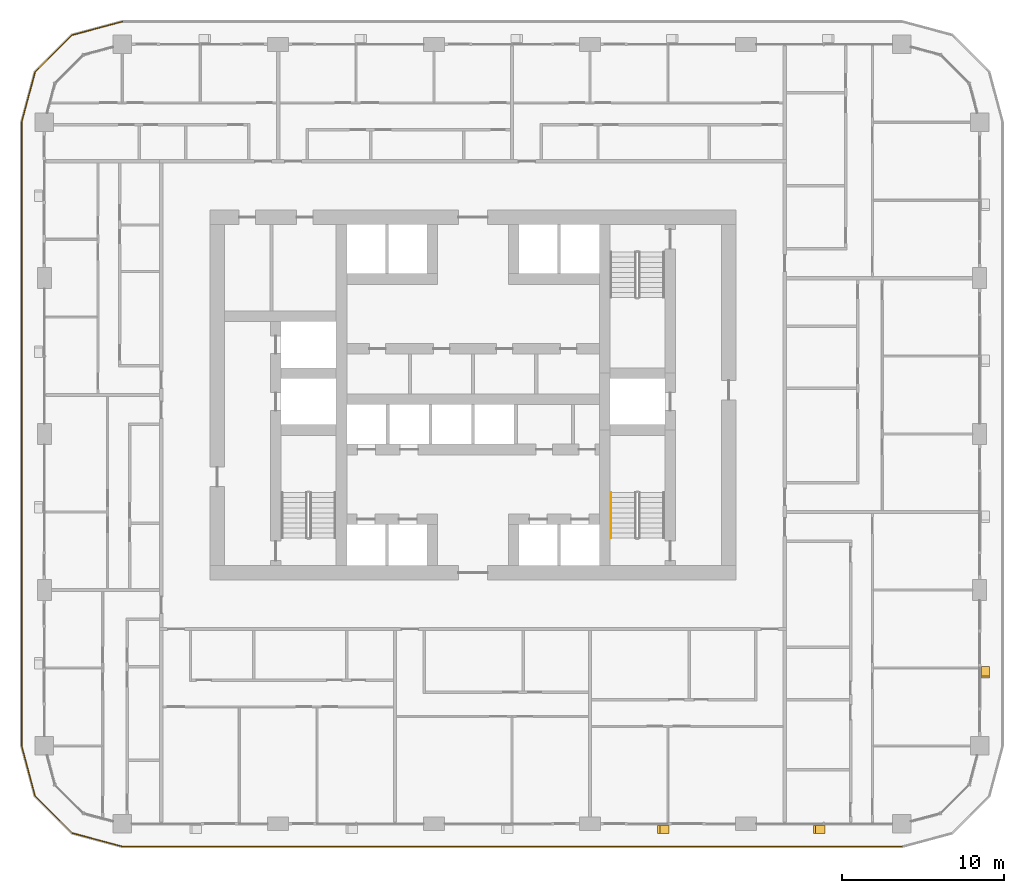
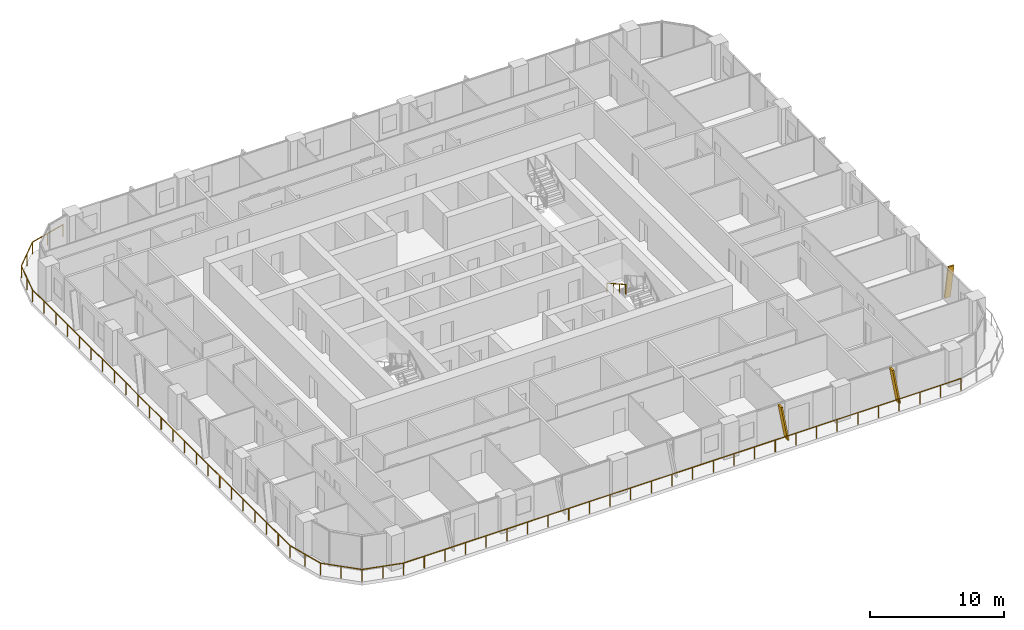
# One storey, part 19 of 22: 3 shading devices, 2 railings.
"""IFC4 building model written with IfcOpenShell, lengths in metres."""

from ifc_helpers import new_model, si_unit, direction, frame, origin, origin_2d, place, context, subcontext, project, spatial, polyline, circle, outline, extrude, material, type_object, element, save


model = new_model("IFC4")

# Units and contexts
model_context = context("Model", 3, precision=1e-05, world=origin(), true_north=direction((0.0, 1.0)))
body_context = subcontext(model_context, "Body", "Model", "MODEL_VIEW")
ifc_project = project(units=[si_unit("LENGTHUNIT", "METRE"), si_unit("AREAUNIT", "SQUARE_METRE"), si_unit("VOLUMEUNIT", "CUBIC_METRE"), si_unit("PLANEANGLEUNIT", "RADIAN"), si_unit("MASSUNIT", "GRAM", prefix="KILO")], contexts=[model_context])

# Site, building, storey
site_placement = place(None, origin())
site = spatial("IfcSite", under=ifc_project, at=site_placement, CompositionType="ELEMENT")
building_placement = place(site_placement, origin())
building = spatial("IfcBuilding", under=site, at=building_placement, Name="Madar Terraces", CompositionType="ELEMENT")
storey_placement = place(building_placement, frame((0.0, 0.0, 69.800048828125)))
storey = spatial("IfcBuildingStorey", under=building, at=storey_placement, Name="L17", CompositionType="ELEMENT", Elevation=69.800048828125)

# Railing
ifc_material_1 = material(Name="Glass, safety glazing, with stainless steel posts", Category="steel")
railing_type_1 = type_object("IfcRailingType", Name="Balcony glass guard 1100", PredefinedType="GUARDRAIL", material=ifc_material_1)
railing_1_placement = place(storey_placement, frame((9.60009765625, 49.39990234375, 0.0)))
element("IfcRailing", 1, at=railing_1_placement, inside=storey, type_object=railing_type_1, Name="Balcony guard", PredefinedType="GUARDRAIL", context=body_context, shape_type="SweptSolid", body=[
    extrude(circle(Radius=0.02392578125, at=origin_2d()), frame((0.0, 0.0, 1.076171875), z_axis=(-0.9659337912, -0.258789317819, 0.0), x_axis=(0.258789317819, -0.9659337912, 0.0)), (0.0, 0.0, 1.0), 3.20947265625),
    extrude(circle(Radius=0.02392578125, at=origin_2d()), frame((-3.10009765625, -0.83056640625, 1.076171875), z_axis=(-0.707106781187, -0.707106781187, 0.0), x_axis=(0.707106781187, -0.707106781187, 0.0)), (0.0, 0.0, 1.0), 3.209228515625),
    extrude(circle(Radius=0.02392578125, at=origin_2d()), frame((-5.369384765625, -3.099853515625, 1.076171875), z_axis=(-0.258860290944, -0.965914773555, 0.0), x_axis=(0.965914773555, -0.258860290944, 0.0)), (0.0, 0.0, 1.0), 3.20947265625),
    extrude(circle(Radius=0.02392578125, at=origin_2d()), frame((-6.2001953125, -6.199951171875, 1.076171875), z_axis=(0.0, -1.0, 0.0), x_axis=(1.0, 0.0, 0.0)), (0.0, 0.0, 1.0), 38.39990234375),
    extrude(circle(Radius=0.02392578125, at=origin_2d()), frame((-6.2001953125, -44.599853515625, 1.076171875), z_axis=(0.258860290944, -0.965914773555, 0.0), x_axis=(0.965914773555, 0.258860290944, 0.0)), (0.0, 0.0, 1.0), 3.20947265625),
    extrude(circle(Radius=0.02392578125, at=origin_2d()), frame((-5.369384765625, -47.699951171875, 1.076171875), z_axis=(0.707106781187, -0.707106781187, 0.0), x_axis=(0.707106781187, 0.707106781187, 0.0)), (0.0, 0.0, 1.0), 3.209228515625),
    extrude(circle(Radius=0.02392578125, at=origin_2d()), frame((-3.10009765625, -49.96923828125, 1.076171875), z_axis=(0.9659337912, -0.258789317819, 0.0), x_axis=(0.258789317819, 0.9659337912, 0.0)), (0.0, 0.0, 1.0), 3.20947265625),
    extrude(circle(Radius=0.02392578125, at=origin_2d()), frame((0.0, -50.7998046875, 1.076171875), z_axis=(1.0, 0.0, 0.0), x_axis=(0.0, 1.0, 0.0)), (0.0, 0.0, 1.0), 48.0),
    extrude(circle(Radius=0.02099609375, at=origin_2d()), origin(), (0.0, 0.0, 1.0), 1.052001953125),
    extrude(circle(Radius=0.02099609375, at=origin_2d()), frame((-1.550048828125, -0.415283203125, 0.0)), (0.0, 0.0, 1.0), 1.052001953125),
    extrude(circle(Radius=0.02099609375, at=origin_2d()), frame((-3.10009765625, -0.83056640625, 0.0)), (0.0, 0.0, 1.0), 1.052001953125),
    extrude(circle(Radius=0.02099609375, at=origin_2d()), frame((-4.23486328125, -1.96533203125, 0.0)), (0.0, 0.0, 1.0), 1.052001953125),
    extrude(circle(Radius=0.02099609375, at=origin_2d()), frame((-5.369384765625, -3.099853515625, 0.0)), (0.0, 0.0, 1.0), 1.052001953125),
    extrude(circle(Radius=0.02099609375, at=origin_2d()), frame((-5.78466796875, -4.64990234375, 0.0)), (0.0, 0.0, 1.0), 1.052001953125),
    extrude(circle(Radius=0.02099609375, at=origin_2d()), frame((-6.2001953125, -6.199951171875, 0.0)), (0.0, 0.0, 1.0), 1.052001953125),
    extrude(circle(Radius=0.02099609375, at=origin_2d()), frame((-6.2001953125, -7.9453125, 0.0)), (0.0, 0.0, 1.0), 1.052001953125),
    extrude(circle(Radius=0.02099609375, at=origin_2d()), frame((-6.2001953125, -9.69091796875, 0.0)), (0.0, 0.0, 1.0), 1.052001953125),
    extrude(circle(Radius=0.02099609375, at=origin_2d()), frame((-6.2001953125, -11.436279296875, 0.0)), (0.0, 0.0, 1.0), 1.052001953125),
    extrude(circle(Radius=0.02099609375, at=origin_2d()), frame((-6.2001953125, -13.181640625, 0.0)), (0.0, 0.0, 1.0), 1.052001953125),
    extrude(circle(Radius=0.02099609375, at=origin_2d()), frame((-6.2001953125, -14.92724609375, 0.0)), (0.0, 0.0, 1.0), 1.052001953125),
    extrude(circle(Radius=0.02099609375, at=origin_2d()), frame((-6.2001953125, -16.672607421875, 0.0)), (0.0, 0.0, 1.0), 1.052001953125),
    extrude(circle(Radius=0.02099609375, at=origin_2d()), frame((-6.2001953125, -18.418212890625, 0.0)), (0.0, 0.0, 1.0), 1.052001953125),
    extrude(circle(Radius=0.02099609375, at=origin_2d()), frame((-6.2001953125, -20.16357421875, 0.0)), (0.0, 0.0, 1.0), 1.052001953125),
    extrude(circle(Radius=0.02099609375, at=origin_2d()), frame((-6.2001953125, -21.908935546875, 0.0)), (0.0, 0.0, 1.0), 1.052001953125),
    extrude(circle(Radius=0.02099609375, at=origin_2d()), frame((-6.2001953125, -23.654541015625, 0.0)), (0.0, 0.0, 1.0), 1.052001953125),
    extrude(circle(Radius=0.02099609375, at=origin_2d()), frame((-6.2001953125, -25.39990234375, 0.0)), (0.0, 0.0, 1.0), 1.052001953125),
    extrude(circle(Radius=0.02099609375, at=origin_2d()), frame((-6.2001953125, -27.145263671875, 0.0)), (0.0, 0.0, 1.0), 1.052001953125),
    extrude(circle(Radius=0.02099609375, at=origin_2d()), frame((-6.2001953125, -28.890869140625, 0.0)), (0.0, 0.0, 1.0), 1.052001953125),
    extrude(circle(Radius=0.02099609375, at=origin_2d()), frame((-6.2001953125, -30.63623046875, 0.0)), (0.0, 0.0, 1.0), 1.052001953125),
    extrude(circle(Radius=0.02099609375, at=origin_2d()), frame((-6.2001953125, -32.381591796875, 0.0)), (0.0, 0.0, 1.0), 1.052001953125),
    extrude(circle(Radius=0.02099609375, at=origin_2d()), frame((-6.2001953125, -34.127197265625, 0.0)), (0.0, 0.0, 1.0), 1.052001953125),
    extrude(circle(Radius=0.02099609375, at=origin_2d()), frame((-6.2001953125, -35.87255859375, 0.0)), (0.0, 0.0, 1.0), 1.052001953125),
    extrude(circle(Radius=0.02099609375, at=origin_2d()), frame((-6.2001953125, -37.6181640625, 0.0)), (0.0, 0.0, 1.0), 1.052001953125),
    extrude(circle(Radius=0.02099609375, at=origin_2d()), frame((-6.2001953125, -39.363525390625, 0.0)), (0.0, 0.0, 1.0), 1.052001953125),
    extrude(circle(Radius=0.02099609375, at=origin_2d()), frame((-6.2001953125, -41.10888671875, 0.0)), (0.0, 0.0, 1.0), 1.052001953125),
    extrude(circle(Radius=0.02099609375, at=origin_2d()), frame((-6.2001953125, -42.8544921875, 0.0)), (0.0, 0.0, 1.0), 1.052001953125),
    extrude(circle(Radius=0.02099609375, at=origin_2d()), frame((-6.2001953125, -44.599853515625, 0.0)), (0.0, 0.0, 1.0), 1.052001953125),
    extrude(circle(Radius=0.02099609375, at=origin_2d()), frame((-5.78466796875, -46.14990234375, 0.0)), (0.0, 0.0, 1.0), 1.052001953125),
    extrude(circle(Radius=0.02099609375, at=origin_2d()), frame((-5.369384765625, -47.699951171875, 0.0)), (0.0, 0.0, 1.0), 1.052001953125),
    extrude(circle(Radius=0.02099609375, at=origin_2d()), frame((-4.23486328125, -48.83447265625, 0.0)), (0.0, 0.0, 1.0), 1.052001953125),
    extrude(circle(Radius=0.02099609375, at=origin_2d()), frame((-3.10009765625, -49.96923828125, 0.0)), (0.0, 0.0, 1.0), 1.052001953125),
    extrude(circle(Radius=0.02099609375, at=origin_2d()), frame((-1.550048828125, -50.384521484375, 0.0)), (0.0, 0.0, 1.0), 1.052001953125),
    extrude(circle(Radius=0.02099609375, at=origin_2d()), frame((0.0, -50.7998046875, 0.0)), (0.0, 0.0, 1.0), 1.052001953125),
    extrude(circle(Radius=0.02099609375, at=origin_2d()), frame((1.77783203125, -50.7998046875, 0.0)), (0.0, 0.0, 1.0), 1.052001953125),
    extrude(circle(Radius=0.02099609375, at=origin_2d()), frame((3.5556640625, -50.7998046875, 0.0)), (0.0, 0.0, 1.0), 1.052001953125),
    extrude(circle(Radius=0.02099609375, at=origin_2d()), frame((5.333251953125, -50.7998046875, 0.0)), (0.0, 0.0, 1.0), 1.052001953125),
    extrude(circle(Radius=0.02099609375, at=origin_2d()), frame((7.111083984375, -50.7998046875, 0.0)), (0.0, 0.0, 1.0), 1.052001953125),
    extrude(circle(Radius=0.02099609375, at=origin_2d()), frame((8.888916015625, -50.7998046875, 0.0)), (0.0, 0.0, 1.0), 1.052001953125),
    extrude(circle(Radius=0.02099609375, at=origin_2d()), frame((10.666748046875, -50.7998046875, 0.0)), (0.0, 0.0, 1.0), 1.052001953125),
    extrude(circle(Radius=0.02099609375, at=origin_2d()), frame((12.4443359375, -50.7998046875, 0.0)), (0.0, 0.0, 1.0), 1.052001953125),
    extrude(circle(Radius=0.02099609375, at=origin_2d()), frame((14.22216796875, -50.7998046875, 0.0)), (0.0, 0.0, 1.0), 1.052001953125),
    extrude(circle(Radius=0.02099609375, at=origin_2d()), frame((16.0, -50.7998046875, 0.0)), (0.0, 0.0, 1.0), 1.052001953125),
    extrude(circle(Radius=0.02099609375, at=origin_2d()), frame((17.77783203125, -50.7998046875, 0.0)), (0.0, 0.0, 1.0), 1.052001953125),
    extrude(circle(Radius=0.02099609375, at=origin_2d()), frame((19.5556640625, -50.7998046875, 0.0)), (0.0, 0.0, 1.0), 1.052001953125),
    extrude(circle(Radius=0.02099609375, at=origin_2d()), frame((21.333251953125, -50.7998046875, 0.0)), (0.0, 0.0, 1.0), 1.052001953125),
    extrude(circle(Radius=0.02099609375, at=origin_2d()), frame((23.111083984375, -50.7998046875, 0.0)), (0.0, 0.0, 1.0), 1.052001953125),
    extrude(circle(Radius=0.02099609375, at=origin_2d()), frame((24.888916015625, -50.7998046875, 0.0)), (0.0, 0.0, 1.0), 1.052001953125),
    extrude(circle(Radius=0.02099609375, at=origin_2d()), frame((26.666748046875, -50.7998046875, 0.0)), (0.0, 0.0, 1.0), 1.052001953125),
    extrude(circle(Radius=0.02099609375, at=origin_2d()), frame((28.4443359375, -50.7998046875, 0.0)), (0.0, 0.0, 1.0), 1.052001953125),
    extrude(circle(Radius=0.02099609375, at=origin_2d()), frame((30.22216796875, -50.7998046875, 0.0)), (0.0, 0.0, 1.0), 1.052001953125),
    extrude(circle(Radius=0.02099609375, at=origin_2d()), frame((32.0, -50.7998046875, 0.0)), (0.0, 0.0, 1.0), 1.052001953125),
    extrude(circle(Radius=0.02099609375, at=origin_2d()), frame((33.77783203125, -50.7998046875, 0.0)), (0.0, 0.0, 1.0), 1.052001953125),
    extrude(circle(Radius=0.02099609375, at=origin_2d()), frame((35.5556640625, -50.7998046875, 0.0)), (0.0, 0.0, 1.0), 1.052001953125),
    extrude(circle(Radius=0.02099609375, at=origin_2d()), frame((37.333251953125, -50.7998046875, 0.0)), (0.0, 0.0, 1.0), 1.052001953125),
    extrude(circle(Radius=0.02099609375, at=origin_2d()), frame((39.111083984375, -50.7998046875, 0.0)), (0.0, 0.0, 1.0), 1.052001953125),
    extrude(circle(Radius=0.02099609375, at=origin_2d()), frame((40.888916015625, -50.7998046875, 0.0)), (0.0, 0.0, 1.0), 1.052001953125),
    extrude(circle(Radius=0.02099609375, at=origin_2d()), frame((42.666748046875, -50.7998046875, 0.0)), (0.0, 0.0, 1.0), 1.052001953125),
    extrude(circle(Radius=0.02099609375, at=origin_2d()), frame((44.4443359375, -50.7998046875, 0.0)), (0.0, 0.0, 1.0), 1.052001953125),
    extrude(circle(Radius=0.02099609375, at=origin_2d()), frame((46.22216796875, -50.7998046875, 0.0)), (0.0, 0.0, 1.0), 1.052001953125),
    extrude(circle(Radius=0.02099609375, at=origin_2d()), frame((48.0, -50.7998046875, 0.0)), (0.0, 0.0, 1.0), 1.052001953125),
])

# Shading devices
ifc_material_2 = material(Name="Aluminium, black anodised", Category="aluminium")
shading_device_type = type_object("IfcShadingDeviceType", Name="Facade fin blade 140 x 500", PredefinedType="USERDEFINED", material=ifc_material_2)
for number, where, z_axis, x_axis, name in (
    (2, (43.1298828125, -0.35009765625, 0.0), (0.0, 0.0, 1.0), (1.0, 0.0, 0.0), "FIN L17 S4"),
    (3, (52.72998046875, -0.35009765625, 0.0), (0.0, 0.0, 1.0), (1.0, 0.0, 0.0), "FIN L17 S5"),
):
    element("IfcShadingDevice", number, at=place(storey_placement, frame(where, z_axis=z_axis, x_axis=x_axis)), inside=storey, type_object=shading_device_type, Name=name, ObjectType="FIN", PredefinedType="USERDEFINED", context=body_context, shape_type="SweptSolid", body=[
        extrude(outline(polyline([(0.0, 0.0), (0.14013671875, 0.0), (-0.42431640625, 3.199951171875), (-0.564208984375, 3.199951171875), (0.0, 0.0)])), frame((0.0, 0.25, 0.0), z_axis=(0.0, -1.0, 0.0), x_axis=(1.0, 0.0, 0.0)), (0.0, 0.0, 1.0), 0.5),
    ])
shading_device_placement = place(storey_placement, frame((62.75, 9.530029296875, 0.0), z_axis=(0.0, 0.0, 1.0), x_axis=(0.0, 1.0, 0.0)))
element("IfcShadingDevice", 4, at=shading_device_placement, inside=storey, type_object=shading_device_type, Name="FIN L17 E1", ObjectType="FIN", PredefinedType="USERDEFINED", context=body_context, shape_type="SweptSolid", body=[
    extrude(outline(polyline([(0.0, 0.0), (0.139892578125, 0.0), (-0.42431640625, 3.199951171875), (-0.564208984375, 3.199951171875), (0.0, 0.0)])), frame((0.0, 0.25, 0.0), z_axis=(0.0, -1.0, 0.0), x_axis=(1.0, 0.0, 0.0)), (0.0, 0.0, 1.0), 0.5),
])

# Railing
ifc_material_3 = material(Name="Stainless steel railing", Category="steel")
railing_type_2 = type_object("IfcRailingType", Name="Stair handrail 900", PredefinedType="HANDRAIL", material=ifc_material_3)
railing_2_placement = place(storey_placement, frame((39.699951171875, 20.389892578125, 1.925048828125)))
element("IfcRailing", 5, at=railing_2_placement, inside=storey, type_object=railing_type_2, Name="L17 ST3 stair handrail 2", PredefinedType="HANDRAIL", context=body_context, shape_type="SweptSolid", body=[
    extrude(circle(Radius=0.02392578125, at=origin_2d()), frame((0.0, 0.0, 0.8759765625), z_axis=(0.0, -0.870815363784, 0.491610213684), x_axis=(1.0, 0.0, 0.0)), (0.0, 0.0, 1.0), 3.20361328125),
    extrude(circle(Radius=0.02099609375, at=origin_2d()), origin(), (0.0, 0.0, 1.0), 0.851806640625),
    extrude(circle(Radius=0.02099609375, at=origin_2d()), frame((0.0, -0.929931640625, 0.52490234375)), (0.0, 0.0, 1.0), 0.851806640625),
    extrude(circle(Radius=0.02099609375, at=origin_2d()), frame((0.0, -1.85986328125, 1.050048828125)), (0.0, 0.0, 1.0), 0.851806640625),
    extrude(circle(Radius=0.02099609375, at=origin_2d()), frame((0.0, -2.789794921875, 1.574951171875)), (0.0, 0.0, 1.0), 0.851806640625),
])

save(model, "model.ifc")
